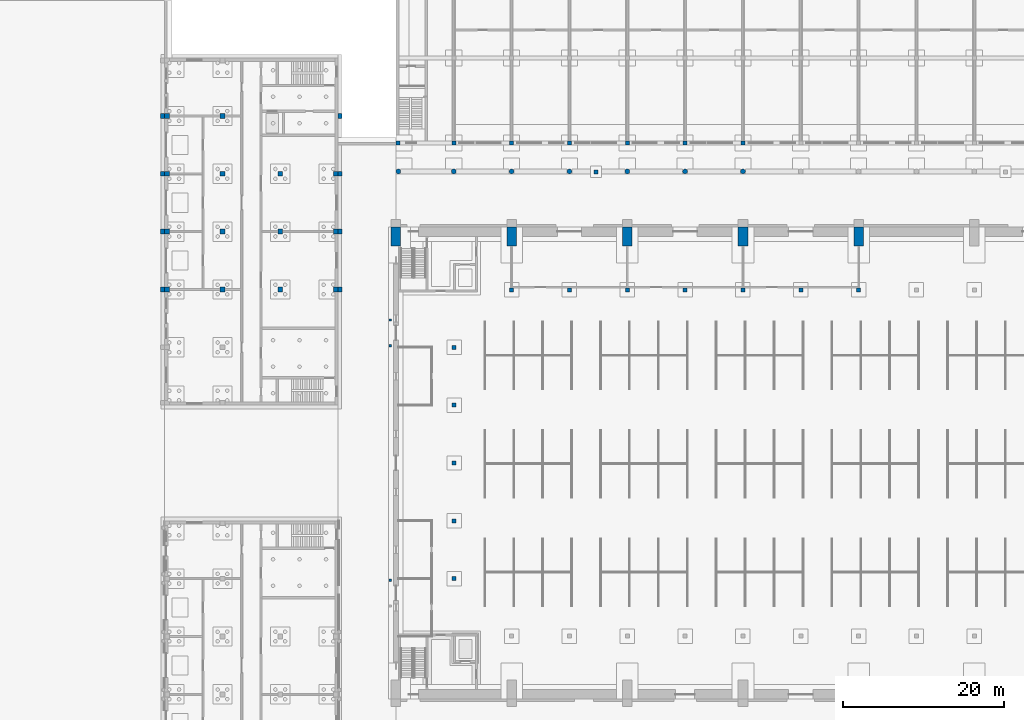
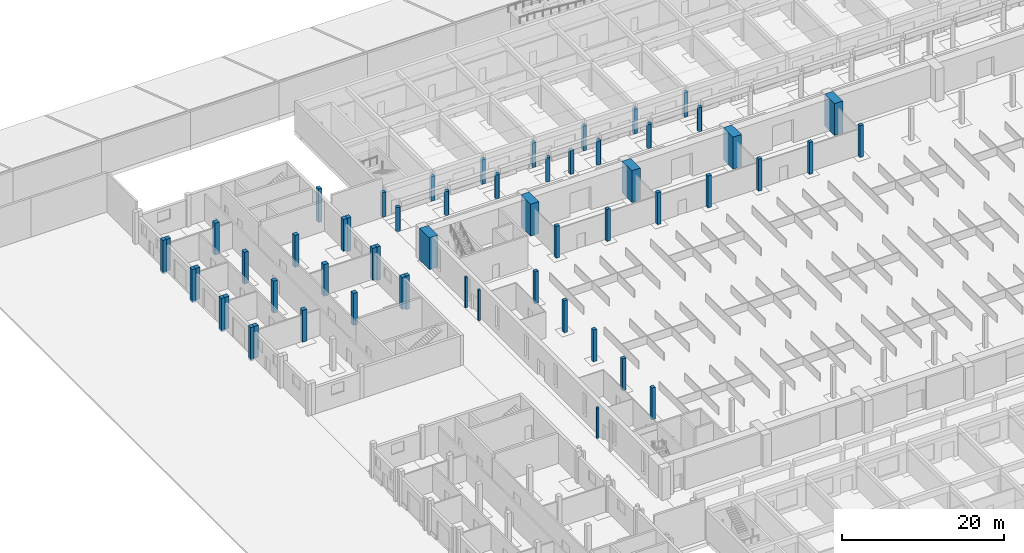
# One storey, part 16 of 73: 57 columns.
"""IFC4 building model written with IfcOpenShell, lengths in metres."""

from ifc_helpers import new_model, si_unit, direction, frame, origin, origin_2d, place, context, subcontext, project, spatial, rectangle, circle, extrude, material, material_profile, profile_set, type_object, element, save


model = new_model("IFC4")

# Units and contexts
model_context = context("Model", 3, precision=1e-05, world=origin(), true_north=direction((0.0, 1.0)))
body_context = subcontext(model_context, "Body", "Model", "MODEL_VIEW")
ifc_project = project(units=[si_unit("LENGTHUNIT", "METRE"), si_unit("AREAUNIT", "SQUARE_METRE"), si_unit("VOLUMEUNIT", "CUBIC_METRE"), si_unit("PLANEANGLEUNIT", "RADIAN"), si_unit("MASSUNIT", "GRAM", prefix="KILO")], contexts=[model_context])

# Site, building, storey
site_placement = place(None, origin())
site = spatial("IfcSite", under=ifc_project, at=site_placement, CompositionType="ELEMENT")
building_placement = place(site_placement, origin())
building = spatial("IfcBuilding", under=site, at=building_placement, Name="Alderwick Market Hall", CompositionType="ELEMENT")
storey_placement = place(building_placement, origin())
storey = spatial("IfcBuildingStorey", under=building, at=storey_placement, Name="LG", CompositionType="ELEMENT", Elevation=0.0)

# Columns
ifc_material_1 = material(Name="Concrete 5000 psi (f'c 35 MPa)", Category="concrete")
ifc_material_profile_1 = material_profile(ifc_material_1, circle(Radius=0.300048828125, at=origin_2d()), Name="A RC Colonnade Column D600")
ifc_profile_set_1 = profile_set([ifc_material_profile_1], Name="Concrete 5000 psi (f'c 35 MPa)")
column_type_1 = type_object("IfcColumnType", Name="A RC Colonnade Column D600", PredefinedType="COLUMN", material=ifc_profile_set_1)
for number, where, z_axis, x_axis, name in (
    (1, (50.699951171875, 115.5, 0.0), (0.0, 0.0, 1.0), (1.0, 0.0, 0.0), "A.N.col.C00"),
    (2, (57.60009765625, 115.5, 0.0), (0.0, 0.0, 1.0), (1.0, 0.0, 0.0), "A.N.col.C01"),
    (3, (64.800048828125, 115.5, 0.0), (0.0, 0.0, 1.0), (1.0, 0.0, 0.0), "A.N.col.C02"),
    (4, (72.0, 115.5, 0.0), (0.0, 0.0, 1.0), (1.0, 0.0, 0.0), "A.N.col.C03"),
    (5, (79.199951171875, 115.5, 0.0), (0.0, 0.0, 1.0), (1.0, 0.0, 0.0), "A.N.col.C04"),
    (6, (86.39990234375, 115.5, 0.0), (0.0, 0.0, 1.0), (1.0, 0.0, 0.0), "A.N.col.C05"),
    (7, (93.60009765625, 115.5, 0.0), (0.0, 0.0, 1.0), (1.0, 0.0, 0.0), "A.N.col.C06"),
):
    element("IfcColumn", number, at=place(storey_placement, frame(where, z_axis=z_axis, x_axis=x_axis)), inside=storey, type_object=column_type_1, Name=name, PredefinedType="COLUMN", context=body_context, shape_type="SweptSolid", body=[
        extrude(circle(Radius=0.300048828125, at=origin_2d()), origin(), (0.0, 0.0, 1.0), 3.60009765625),
    ])
ifc_material_profile_2 = material_profile(ifc_material_1, rectangle(XDim=0.5, YDim=0.5, at=origin_2d()), Name="A RC Column 500x500")
ifc_profile_set_2 = profile_set([ifc_material_profile_2], Name="Concrete 5000 psi (f'c 35 MPa)")
column_type_2 = type_object("IfcColumnType", Name="A RC Column 500x500", PredefinedType="COLUMN", material=ifc_profile_set_2)
for number, where, z_axis, x_axis, name in (
    (8, (50.64990234375, 119.050048828125, 0.0), (0.0, 0.0, 1.0), (1.0, 0.0, 0.0), "A.N.col.F00"),
    (9, (57.60009765625, 119.050048828125, 0.0), (0.0, 0.0, 1.0), (1.0, 0.0, 0.0), "A.N.col.F01"),
    (10, (64.800048828125, 119.050048828125, 0.0), (0.0, 0.0, 1.0), (1.0, 0.0, 0.0), "A.N.col.F02"),
    (11, (72.0, 119.050048828125, 0.0), (0.0, 0.0, 1.0), (1.0, 0.0, 0.0), "A.N.col.F03"),
    (12, (79.199951171875, 119.050048828125, 0.0), (0.0, 0.0, 1.0), (1.0, 0.0, 0.0), "A.N.col.F04"),
    (13, (86.39990234375, 119.050048828125, 0.0), (0.0, 0.0, 1.0), (1.0, 0.0, 0.0), "A.N.col.F05"),
    (14, (93.60009765625, 119.050048828125, 0.0), (0.0, 0.0, 1.0), (1.0, 0.0, 0.0), "A.N.col.F06"),
):
    element("IfcColumn", number, at=place(storey_placement, frame(where, z_axis=z_axis, x_axis=x_axis)), inside=storey, type_object=column_type_2, Name=name, PredefinedType="COLUMN", context=body_context, shape_type="SweptSolid", body=[
        extrude(rectangle(XDim=0.5, YDim=0.5, at=origin_2d()), origin(), (0.0, 0.0, 1.0), 3.699951171875),
    ])
ifc_material_profile_3 = material_profile(ifc_material_1, rectangle(XDim=0.5, YDim=0.60009765625, at=origin_2d()), Name="B Pilaster 500x600")
ifc_profile_set_3 = profile_set([ifc_material_profile_3], Name="Concrete 5000 psi (f'c 35 MPa)")
column_type_3 = type_object("IfcColumnType", Name="B Pilaster 500x600", PredefinedType="COLUMN", material=ifc_profile_set_3)
for number, where, z_axis, x_axis, name in (
    (15, (21.35009765625, 100.800048828125, -0.25), (0.0, 0.0, 1.0), (1.0, 0.0, 0.0), "Pilaster W03"),
    (16, (21.35009765625, 108.0, -0.25), (0.0, 0.0, 1.0), (1.0, 0.0, 0.0), "Pilaster W04"),
    (17, (21.35009765625, 115.199951171875, -0.25), (0.0, 0.0, 1.0), (1.0, 0.0, 0.0), "Pilaster W05"),
    (18, (21.35009765625, 122.39990234375, -0.25), (0.0, 0.0, 1.0), (1.0, 0.0, 0.0), "Pilaster W06"),
    (19, (43.449951171875, 100.800048828125, -0.25), (0.0, 0.0, 1.0), (1.0, 0.0, 0.0), "Pilaster E01"),
    (20, (43.449951171875, 108.0, -0.25), (0.0, 0.0, 1.0), (1.0, 0.0, 0.0), "Pilaster E02"),
    (21, (43.449951171875, 115.199951171875, -0.25), (0.0, 0.0, 1.0), (1.0, 0.0, 0.0), "Pilaster E03"),
    (22, (43.449951171875, 122.39990234375, -0.25), (0.0, 0.0, 1.0), (1.0, 0.0, 0.0), "Pilaster E04"),
):
    element("IfcColumn", number, at=place(storey_placement, frame(where, z_axis=z_axis, x_axis=x_axis)), inside=storey, type_object=column_type_3, Name=name, PredefinedType="COLUMN", context=body_context, shape_type="SweptSolid", body=[
        extrude(rectangle(XDim=0.5, YDim=0.60009765625, at=origin_2d()), origin(), (0.0, 0.0, 1.0), 5.050048828125),
    ])
ifc_material_2 = material(Name="Precast concrete 6000 psi (f'c 42 MPa)", Category="concrete")
ifc_material_profile_4 = material_profile(ifc_material_2, rectangle(XDim=0.60009765625, YDim=0.60009765625, at=origin_2d()), Name="B Precast Pier 600x600")
ifc_profile_set_4 = profile_set([ifc_material_profile_4], Name="Precast concrete 6000 psi (f'c 42 MPa)")
column_type_4 = type_object("IfcColumnType", Name="B Precast Pier 600x600", PredefinedType="COLUMN", material=ifc_profile_set_4)
for number, where, z_axis, x_axis, name in (
    (23, (21.89990234375, 122.39990234375, 0.0), (0.0, 0.0, 1.0), (1.0, 0.0, 0.0), "B.N.col.LG.003-072"),
    (24, (21.89990234375, 115.199951171875, 0.0), (0.0, 0.0, 1.0), (1.0, 0.0, 0.0), "B.N.col.LG.003-144"),
    (25, (21.89990234375, 108.0, 0.0), (0.0, 0.0, 1.0), (1.0, 0.0, 0.0), "B.N.col.LG.003-216"),
    (26, (21.89990234375, 100.800048828125, 0.0), (0.0, 0.0, 1.0), (1.0, 0.0, 0.0), "B.N.col.LG.003-288"),
    (27, (42.89990234375, 115.199951171875, 0.0), (0.0, 0.0, 1.0), (1.0, 0.0, 0.0), "B.N.col.LG.213-144"),
    (28, (42.89990234375, 108.0, 0.0), (0.0, 0.0, 1.0), (1.0, 0.0, 0.0), "B.N.col.LG.213-216"),
    (29, (42.89990234375, 100.800048828125, 0.0), (0.0, 0.0, 1.0), (1.0, 0.0, 0.0), "B.N.col.LG.213-288"),
):
    element("IfcColumn", number, at=place(storey_placement, frame(where, z_axis=z_axis, x_axis=x_axis)), inside=storey, type_object=column_type_4, Name=name, PredefinedType="COLUMN", context=body_context, shape_type="SweptSolid", body=[
        extrude(rectangle(XDim=0.60009765625, YDim=0.60009765625, at=origin_2d()), origin(), (0.0, 0.0, 1.0), 4.800048828125),
    ])
ifc_material_profile_5 = material_profile(ifc_material_1, rectangle(XDim=0.60009765625, YDim=0.60009765625, at=origin_2d()), Name="B RC Column 600x600")
ifc_profile_set_5 = profile_set([ifc_material_profile_5], Name="Concrete 5000 psi (f'c 35 MPa)")
column_type_5 = type_object("IfcColumnType", Name="B RC Column 600x600", PredefinedType="COLUMN", material=ifc_profile_set_5)
for number, where, z_axis, x_axis, name in (
    (30, (28.800048828125, 122.39990234375, 0.0), (0.0, 0.0, 1.0), (1.0, 0.0, 0.0), "B.N.col.LG.072-072"),
    (31, (28.800048828125, 115.199951171875, 0.0), (0.0, 0.0, 1.0), (1.0, 0.0, 0.0), "B.N.col.LG.072-144"),
    (32, (28.800048828125, 108.0, 0.0), (0.0, 0.0, 1.0), (1.0, 0.0, 0.0), "B.N.col.LG.072-216"),
    (33, (28.800048828125, 100.800048828125, 0.0), (0.0, 0.0, 1.0), (1.0, 0.0, 0.0), "B.N.col.LG.072-288"),
    (34, (36.0, 115.199951171875, 0.0), (0.0, 0.0, 1.0), (1.0, 0.0, 0.0), "B.N.col.LG.144-144"),
    (35, (36.0, 108.0, 0.0), (0.0, 0.0, 1.0), (1.0, 0.0, 0.0), "B.N.col.LG.144-216"),
    (36, (36.0, 100.800048828125, 0.0), (0.0, 0.0, 1.0), (1.0, 0.0, 0.0), "B.N.col.LG.144-288"),
):
    element("IfcColumn", number, at=place(storey_placement, frame(where, z_axis=z_axis, x_axis=x_axis)), inside=storey, type_object=column_type_5, Name=name, PredefinedType="COLUMN", context=body_context, shape_type="SweptSolid", body=[
        extrude(rectangle(XDim=0.60009765625, YDim=0.60009765625, at=origin_2d()), origin(), (0.0, 0.0, 1.0), 4.800048828125),
    ])
ifc_material_profile_6 = material_profile(ifc_material_1, rectangle(XDim=0.5, YDim=0.5, at=origin_2d()), Name="RC 500x500")
ifc_profile_set_6 = profile_set([ifc_material_profile_6], Name="Concrete 5000 psi (f'c 35 MPa)")
column_type_6 = type_object("IfcColumnType", Name="H Column 500x500", PredefinedType="COLUMN", material=ifc_profile_set_6)
for number, where, z_axis, x_axis, name in (
    (37, (64.800048828125, 100.760009765625, 0.0), (0.0, 0.0, 1.0), (1.0, 0.0, 0.0), "Gallery column N2"),
    (38, (72.0, 100.760009765625, 0.0), (0.0, 0.0, 1.0), (1.0, 0.0, 0.0), "Gallery column N4"),
    (39, (79.199951171875, 100.760009765625, 0.0), (0.0, 0.0, 1.0), (1.0, 0.0, 0.0), "Gallery column N6"),
    (40, (86.39990234375, 100.760009765625, 0.0), (0.0, 0.0, 1.0), (1.0, 0.0, 0.0), "Gallery column N8"),
    (41, (93.60009765625, 100.760009765625, 0.0), (0.0, 0.0, 1.0), (1.0, 0.0, 0.0), "Gallery column N10"),
    (42, (100.800048828125, 100.760009765625, 0.0), (0.0, 0.0, 1.0), (1.0, 0.0, 0.0), "Gallery column N12"),
    (43, (108.0, 100.760009765625, 0.0), (0.0, 0.0, 1.0), (1.0, 0.0, 0.0), "Gallery column N14"),
    (44, (57.639892578125, 64.800048828125, 0.0), (0.0, 0.0, 1.0), (1.0, 0.0, 0.0), "Gallery column W23"),
    (45, (57.639892578125, 72.0, 0.0), (0.0, 0.0, 1.0), (1.0, 0.0, 0.0), "Gallery column W24"),
    (46, (57.639892578125, 79.199951171875, 0.0), (0.0, 0.0, 1.0), (1.0, 0.0, 0.0), "Gallery column W25"),
    (47, (57.639892578125, 86.39990234375, 0.0), (0.0, 0.0, 1.0), (1.0, 0.0, 0.0), "Gallery column W26"),
    (48, (57.639892578125, 93.60009765625, 0.0), (0.0, 0.0, 1.0), (1.0, 0.0, 0.0), "Gallery column W27"),
):
    element("IfcColumn", number, at=place(storey_placement, frame(where, z_axis=z_axis, x_axis=x_axis)), inside=storey, type_object=column_type_6, Name=name, PredefinedType="COLUMN", context=body_context, shape_type="SweptSolid", body=[
        extrude(rectangle(XDim=0.5, YDim=0.5, at=origin_2d()), origin(), (0.0, 0.0, 1.0), 4.800048828125),
    ])
ifc_material_profile_7 = material_profile(ifc_material_1, rectangle(XDim=0.5, YDim=0.5, at=origin_2d()), Name="P RC Corbel Pier 500x500")
ifc_profile_set_7 = profile_set([ifc_material_profile_7], Name="Concrete 5000 psi (f'c 35 MPa)")
column_type_7 = type_object("IfcColumnType", Name="P RC Corbel Pier 500x500", PredefinedType="COLUMN", material=ifc_profile_set_7)
column_placement = place(storey_placement, frame((75.300048828125, 115.449951171875, 0.0), z_axis=(0.0, 0.0, 1.0), x_axis=(1.0, 0.0, 0.0)))
element("IfcColumn", 49, at=column_placement, inside=storey, type_object=column_type_7, Name="Corbel pier", PredefinedType="COLUMN", context=body_context, shape_type="SweptSolid", body=[
    extrude(rectangle(XDim=0.5, YDim=0.5, at=origin_2d()), origin(), (0.0, 0.0, 1.0), 3.632080078125),
])
ifc_material_profile_8 = material_profile(ifc_material_1, rectangle(XDim=1.199951171875, YDim=2.39990234375, at=origin_2d()), Name="RC 1200x2400")
ifc_profile_set_8 = profile_set([ifc_material_profile_8], Name="Concrete 5000 psi (f'c 35 MPa)")
column_type_8 = type_object("IfcColumnType", Name="R Buttress Pier 1200x2400", PredefinedType="COLUMN", material=ifc_profile_set_8)
for number, where, z_axis, x_axis, name in (
    (50, (50.39990234375, 107.39990234375, 0.0), (0.0, 0.0, 1.0), (1.0, 0.0, 0.0), "Buttress pier N1 LG"),
    (51, (64.800048828125, 107.39990234375, 0.0), (0.0, 0.0, 1.0), (1.0, 0.0, 0.0), "Buttress pier N2 LG"),
    (52, (79.199951171875, 107.39990234375, 0.0), (0.0, 0.0, 1.0), (1.0, 0.0, 0.0), "Buttress pier N3 LG"),
    (53, (93.60009765625, 107.39990234375, 0.0), (0.0, 0.0, 1.0), (1.0, 0.0, 0.0), "Buttress pier N4 LG"),
    (54, (108.0, 107.39990234375, 0.0), (0.0, 0.0, 1.0), (1.0, 0.0, 0.0), "Buttress pier N5 LG"),
):
    element("IfcColumn", number, at=place(storey_placement, frame(where, z_axis=z_axis, x_axis=x_axis)), inside=storey, type_object=column_type_8, Name=name, PredefinedType="COLUMN", context=body_context, shape_type="SweptSolid", body=[
        extrude(rectangle(XDim=1.199951171875, YDim=2.39990234375, at=origin_2d()), origin(), (0.0, 0.0, 1.0), 4.800048828125),
    ])
ifc_material_profile_9 = material_profile(ifc_material_1, rectangle(XDim=0.300048828125, YDim=0.300048828125, at=origin_2d()), Name="RC 300x300")
ifc_profile_set_9 = profile_set([ifc_material_profile_9], Name="Concrete 5000 psi (f'c 35 MPa)")
column_type_9 = type_object("IfcColumnType", Name="R Landing Post 300x300", PredefinedType="COLUMN", material=ifc_profile_set_9)
for number, where, z_axis, x_axis, name in (
    (55, (49.699951171875, 93.800048828125, 0.0), (0.0, 0.0, 1.0), (1.0, 0.0, 0.0), "Landing 1 post 1"),
    (56, (49.699951171875, 97.0, 0.0), (0.0, 0.0, 1.0), (1.0, 0.0, 0.0), "Landing 1 post 2"),
    (57, (49.699951171875, 64.60009765625, 0.0), (0.0, 0.0, 1.0), (1.0, 0.0, 0.0), "Landing 2 post 2"),
):
    element("IfcColumn", number, at=place(storey_placement, frame(where, z_axis=z_axis, x_axis=x_axis)), inside=storey, type_object=column_type_9, Name=name, PredefinedType="COLUMN", context=body_context, shape_type="SweptSolid", body=[
        extrude(rectangle(XDim=0.300048828125, YDim=0.300048828125, at=origin_2d()), origin(), (0.0, 0.0, 1.0), 4.60009765625),
    ])

save(model, "model.ifc")
